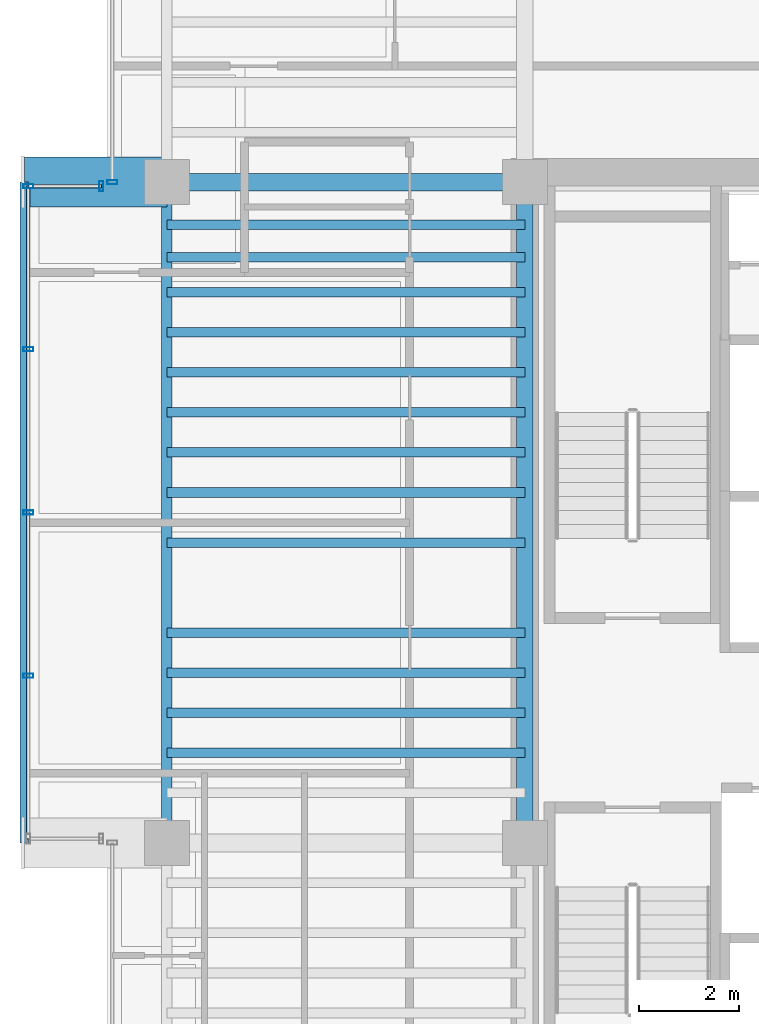
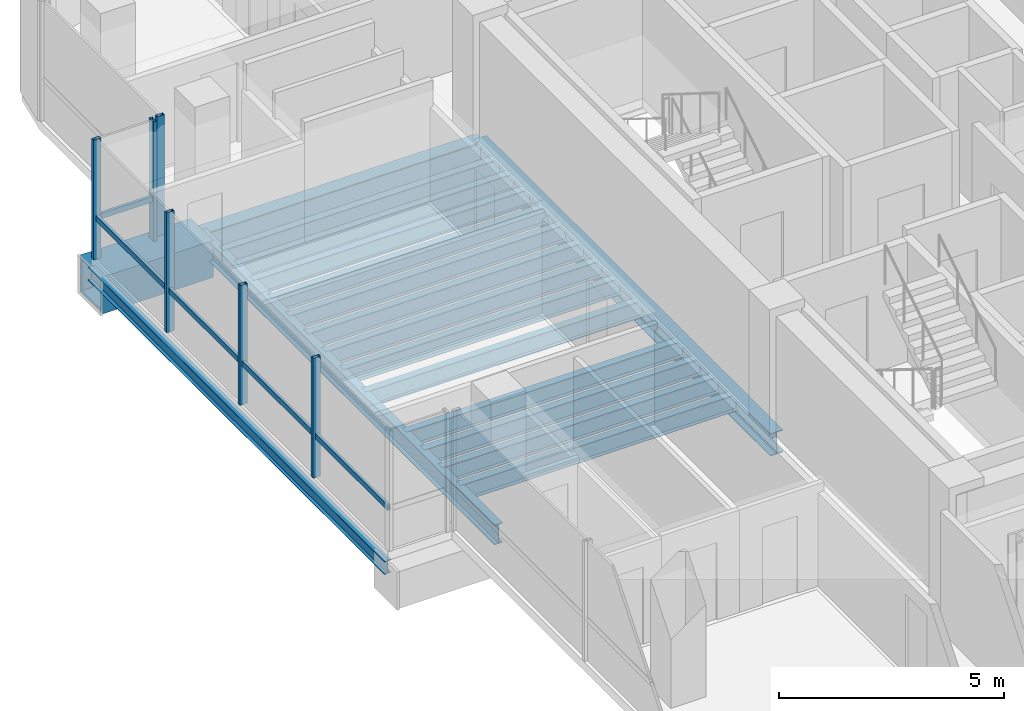
# One storey, part 7 of 22: 18 beams, 8 members, 3 elements without a shape of their own.
"""IFC4 building model written with IfcOpenShell, lengths in metres."""

from ifc_helpers import new_model, si_unit, direction, frame, origin, origin_2d, place, context, subcontext, project, spatial, hollow_rectangle, i_section, extrude, source, transform, mapped, material, material_profile, profile_set, type_object, element, aggregate, save


model = new_model("IFC4")

# Units and contexts
model_context = context("Model", 3, precision=1e-05, world=origin(), true_north=direction((0.0, 1.0)))
body_context = subcontext(model_context, "Body", "Model", "MODEL_VIEW")
ifc_project = project(units=[si_unit("LENGTHUNIT", "METRE"), si_unit("AREAUNIT", "SQUARE_METRE"), si_unit("VOLUMEUNIT", "CUBIC_METRE"), si_unit("PLANEANGLEUNIT", "RADIAN"), si_unit("MASSUNIT", "GRAM", prefix="KILO")], contexts=[model_context])

# Site, building, storey
site_placement = place(None, origin())
site = spatial("IfcSite", under=ifc_project, at=site_placement, CompositionType="ELEMENT")
building_placement = place(site_placement, origin())
building = spatial("IfcBuilding", under=site, at=building_placement, Name="Valdorenza Pilgrim Sanctuary Tower", CompositionType="ELEMENT")
storey_placement = place(building_placement, frame((0.0, 0.0, 209.0)))
storey = spatial("IfcBuildingStorey", under=building, at=storey_placement, Name="L53", CompositionType="ELEMENT", Elevation=209.0)

# Beams
ifc_material_1 = material(Name="Steel ASTM A992 Grade 50", Category="steel")
ifc_material_profile_1 = material_profile(ifc_material_1, i_section(OverallWidth=0.323974609375, OverallDepth=0.611083984375, WebThickness=0.0126953125, FlangeThickness=0.01904296875, at=origin_2d()), Name="W24X104")
ifc_profile_set_1 = profile_set([ifc_material_profile_1], Name="Steel ASTM A992 Grade 50")
beam_type_1 = type_object("IfcBeamType", Name="STR-BM-GRD-W24B", PredefinedType="BEAM", material=ifc_profile_set_1)
shared_shape_1 = source(origin(), body_context, "Body", "SweptSolid", [
    extrude(i_section(OverallWidth=0.323974609375, OverallDepth=0.611083984375, WebThickness=0.0126953125, FlangeThickness=0.01904296875, at=origin_2d()), origin(), (0.0, 0.0, 1.0), 13.2001953125),
])
beam_1_placement = place(storey_placement, frame((-22.64990234375, -2.60009765625, -0.54541015625), z_axis=(0.0, 1.0, 0.0), x_axis=(-1.0, 0.0, 0.0)))
element("IfcBeam", 1, at=beam_1_placement, inside=storey, type_object=beam_type_1, Name="L53 Core Tie Girder CA-W-M0N1", PredefinedType="BEAM", context=body_context, shape_type="MappedRepresentation", body=[
    mapped(shared_shape_1, transform((0.0, 0.0, 0.0), x_axis=(1.0, 0.0, 0.0), y_axis=(0.0, 1.0, 0.0), z_axis=(0.0, 0.0, 1.0), scale=1.0)),
])
ifc_material_profile_2 = material_profile(ifc_material_1, i_section(OverallWidth=0.1708984375, OverallDepth=0.35107421875, WebThickness=0.0068359375, FlangeThickness=0.009765625, at=origin_2d()), Name="W14X30")
ifc_profile_set_2 = profile_set([ifc_material_profile_2], Name="Steel ASTM A992 Grade 50")
beam_type_2 = type_object("IfcBeamType", Name="STR-BM-BOX-W14", PredefinedType="BEAM", material=ifc_profile_set_2)
shared_shape_2 = source(origin(), body_context, "Body", "SweptSolid", [
    extrude(i_section(OverallWidth=0.1708984375, OverallDepth=0.35107421875, WebThickness=0.0068359375, FlangeThickness=0.009765625, at=origin_2d()), origin(), (0.0, 0.0, 1.0), 13.2001953125),
])
beam_2_placement = place(storey_placement, frame((-32.64990234375, -2.60009765625, -0.41552734375), z_axis=(0.0, 1.0, 0.0), x_axis=(-1.0, 0.0, 0.0)))
element("IfcBeam", 2, at=beam_2_placement, inside=storey, type_object=beam_type_2, Name="L53 Glass Box Edge Beam BOX-WA-L53-F", PredefinedType="BEAM", context=body_context, shape_type="MappedRepresentation", body=[
    mapped(shared_shape_2, transform((0.0, 0.0, 0.0), x_axis=(1.0, 0.0, 0.0), y_axis=(0.0, 1.0, 0.0), z_axis=(0.0, 0.0, 1.0), scale=1.0)),
])
ifc_material_profile_3 = material_profile(ifc_material_1, i_section(OverallWidth=0.19091796875, OverallDepth=0.45703125, WebThickness=0.009033203125, FlangeThickness=0.014404296875, at=origin_2d()), Name="W18X50")
ifc_profile_set_3 = profile_set([ifc_material_profile_3], Name="Steel ASTM A992 Grade 50")
beam_type_3 = type_object("IfcBeamType", Name="STR-BM-JST-W18B", PredefinedType="JOIST", material=ifc_profile_set_3)
shared_shape_3 = source(origin(), body_context, "Body", "SweptSolid", [
    extrude(i_section(OverallWidth=0.19091796875, OverallDepth=0.45703125, WebThickness=0.009033203125, FlangeThickness=0.014404296875, at=origin_2d()), origin(), (0.0, 0.0, 1.0), 7.150146484375),
])
for number, where, z_axis, x_axis, name in (
    (3, (-29.800048828125, -0.800048828125, -0.468505859375), (1.0, 0.0, 0.0), (0.0, 1.0, 0.0), "L53 Composite Floor Joist JST-WA-11"),
    (4, (-29.800048828125, 0.0, -0.468505859375), (1.0, 0.0, 0.0), (0.0, 1.0, 0.0), "L53 Composite Floor Joist JST-WA-12"),
    (5, (-29.800048828125, 0.800048828125, -0.468505859375), (1.0, 0.0, 0.0), (0.0, 1.0, 0.0), "L53 Composite Floor Joist JST-WA-13"),
    (6, (-29.800048828125, 1.60009765625, -0.468505859375), (1.0, 0.0, 0.0), (0.0, 1.0, 0.0), "L53 Composite Floor Joist JST-WA-14"),
    (7, (-29.800048828125, 3.39990234375, -0.468505859375), (1.0, 0.0, 0.0), (0.0, 1.0, 0.0), "L53 Composite Floor Joist JST-WA-15"),
    (8, (-29.800048828125, 4.39990234375, -0.468505859375), (1.0, 0.0, 0.0), (0.0, 1.0, 0.0), "L53 Composite Floor Joist JST-WA-16"),
    (9, (-29.800048828125, 5.199951171875, -0.468505859375), (1.0, 0.0, 0.0), (0.0, 1.0, 0.0), "L53 Composite Floor Joist JST-WA-17"),
    (10, (-29.800048828125, 6.0, -0.468505859375), (1.0, 0.0, 0.0), (0.0, 1.0, 0.0), "L53 Composite Floor Joist JST-WA-18"),
    (11, (-29.800048828125, 6.800048828125, -0.468505859375), (1.0, 0.0, 0.0), (0.0, 1.0, 0.0), "L53 Composite Floor Joist JST-WA-19"),
    (12, (-29.800048828125, 7.60009765625, -0.468505859375), (1.0, 0.0, 0.0), (0.0, 1.0, 0.0), "L53 Composite Floor Joist JST-WA-20"),
    (13, (-29.800048828125, 8.39990234375, -0.468505859375), (1.0, 0.0, 0.0), (0.0, 1.0, 0.0), "L53 Composite Floor Joist JST-WA-21"),
    (14, (-29.800048828125, 9.10009765625, -0.468505859375), (1.0, 0.0, 0.0), (0.0, 1.0, 0.0), "L53 Composite Floor Joist JST-WA-22"),
    (15, (-29.800048828125, 9.75, -0.468505859375), (1.0, 0.0, 0.0), (0.0, 1.0, 0.0), "L53 Composite Floor Joist JST-WA-23"),
):
    element("IfcBeam", number, at=place(storey_placement, frame(where, z_axis=z_axis, x_axis=x_axis)), inside=storey, type_object=beam_type_3, Name=name, PredefinedType="JOIST", context=body_context, shape_type="MappedRepresentation", body=[
        mapped(shared_shape_3, transform((0.0, 0.0, 0.0), x_axis=(1.0, 0.0, 0.0), y_axis=(0.0, 1.0, 0.0), z_axis=(0.0, 0.0, 1.0), scale=1.0)),
    ])
ifc_material_2 = material(Name="Steel ASTM A572 Grade 42", Category="steel")
ifc_material_profile_4 = material_profile(ifc_material_2, hollow_rectangle(XDim=1.0, YDim=1.0, WallThickness=0.080078125, at=origin_2d()), Name="BOX 1000x1000x80")
ifc_profile_set_4 = profile_set([ifc_material_profile_4], Name="Steel ASTM A572 Grade 42")
beam_type_4 = type_object("IfcBeamType", Name="STR-BM-PROW-CANT", PredefinedType="BEAM", material=ifc_profile_set_4)
shared_shape_4 = source(origin(), body_context, "Body", "SweptSolid", [
    extrude(hollow_rectangle(XDim=1.0, YDim=1.0, WallThickness=0.080078125, at=origin_2d()), origin(), (0.0, 0.0, 1.0), 2.849853515625),
])
beam_3_placement = place(storey_placement, frame((-29.800048828125, 10.60009765625, -0.739990234375), z_axis=(-1.0, 0.0, 0.0), x_axis=(0.0, -1.0, 0.0)))
element("IfcBeam", 16, at=beam_3_placement, inside=storey, type_object=beam_type_4, Name="L53 Glass Box Cantilever Beam BOX-WA-L53-CT-N", PredefinedType="BEAM", context=body_context, shape_type="MappedRepresentation", body=[
    mapped(shared_shape_4, transform((0.0, 0.0, 0.0), x_axis=(1.0, 0.0, 0.0), y_axis=(0.0, 1.0, 0.0), z_axis=(0.0, 0.0, 1.0), scale=1.0)),
])
ifc_material_profile_5 = material_profile(ifc_material_1, i_section(OverallWidth=0.2109375, OverallDepth=0.5390625, WebThickness=0.01171875, FlangeThickness=0.018798828125, at=origin_2d()), Name="W21X73")
ifc_profile_set_5 = profile_set([ifc_material_profile_5], Name="Steel ASTM A992 Grade 50")
beam_type_5 = type_object("IfcBeamType", Name="STR-BM-SPN-W21B", PredefinedType="SPANDREL", material=ifc_profile_set_5)
shared_shape_5 = source(origin(), body_context, "Body", "SweptSolid", [
    extrude(i_section(OverallWidth=0.2109375, OverallDepth=0.5390625, WebThickness=0.01171875, FlangeThickness=0.018798828125, at=origin_2d()), origin(), (0.0, 0.0, 1.0), 13.2001953125),
])
beam_4_placement = place(storey_placement, frame((-29.800048828125, -2.60009765625, -0.509521484375), z_axis=(0.0, 1.0, 0.0), x_axis=(-1.0, 0.0, 0.0)))
element("IfcBeam", 17, at=beam_4_placement, inside=storey, type_object=beam_type_5, Name="L53 Spandrel Beam WA-W-M0N1", PredefinedType="SPANDREL", context=body_context, shape_type="MappedRepresentation", body=[
    mapped(shared_shape_5, transform((0.0, 0.0, 0.0), x_axis=(1.0, 0.0, 0.0), y_axis=(0.0, 1.0, 0.0), z_axis=(0.0, 0.0, 1.0), scale=1.0)),
])
ifc_material_profile_6 = material_profile(ifc_material_1, i_section(OverallWidth=0.35595703125, OverallDepth=0.700927734375, WebThickness=0.016845703125, FlangeThickness=0.02734375, at=origin_2d()), Name="W27X161")
ifc_profile_set_6 = profile_set([ifc_material_profile_6], Name="Steel ASTM A992 Grade 50")
beam_type_6 = type_object("IfcBeamType", Name="STR-BM-GRD-W27", PredefinedType="BEAM", material=ifc_profile_set_6)
shared_shape_6 = source(origin(), body_context, "Body", "SweptSolid", [
    extrude(i_section(OverallWidth=0.35595703125, OverallDepth=0.700927734375, WebThickness=0.016845703125, FlangeThickness=0.02734375, at=origin_2d()), origin(), (0.0, 0.0, 1.0), 7.150146484375),
])
beam_5_placement = place(storey_placement, frame((-29.800048828125, 10.60009765625, -0.590576171875), z_axis=(1.0, 0.0, 0.0), x_axis=(0.0, 1.0, 0.0)))
element("IfcBeam", 18, at=beam_5_placement, inside=storey, type_object=beam_type_6, Name="L53 Floor Girder WA-XW-N1", PredefinedType="BEAM", context=body_context, shape_type="MappedRepresentation", body=[
    mapped(shared_shape_6, transform((0.0, 0.0, 0.0), x_axis=(1.0, 0.0, 0.0), y_axis=(0.0, 1.0, 0.0), z_axis=(0.0, 0.0, 1.0), scale=1.0)),
])

# Curtain wall, member
ifc_material_3 = material(Name="Curtain-wall IGU glazing", Category="glass")
curtain_wall_type = type_object("IfcCurtainWallType", Name="CW-SYS-02", PredefinedType="NOTDEFINED", material=ifc_material_3)
curtain_wall_1_placement = place(storey_placement, origin())
curtain_wall_1 = element("IfcCurtainWall", 19, at=curtain_wall_1_placement, inside=storey, type_object=curtain_wall_type, Name="L53 Curtain Wall CW-L53-BOX-WA-L53-N", PredefinedType="NOTDEFINED")
ifc_material_4 = material(Name="Anodised aluminium AW-6060", Category="aluminium")
ifc_material_profile_7 = material_profile(ifc_material_4, hollow_rectangle(XDim=0.074951171875, YDim=0.14990234375, WallThickness=0.00390625, at=origin_2d()), Name="ALU-T 150x75x4")
ifc_profile_set_7 = profile_set([ifc_material_profile_7], Name="Anodised aluminium AW-6060")
member_type_1 = type_object("IfcMemberType", Name="CW-TRN-02", PredefinedType="USERDEFINED", material=ifc_profile_set_7)
shared_shape_7 = source(origin(), body_context, "Body", "SweptSolid", [
    extrude(hollow_rectangle(XDim=0.074951171875, YDim=0.14990234375, WallThickness=0.00390625, at=origin_2d()), origin(), (0.0, 0.0, 1.0), 1.4599609375),
])
member_1_placement = place(storey_placement, frame((-32.570068359375, 10.52001953125, 1.1201171875), z_axis=(1.0, 0.0, 0.0), x_axis=(0.0, 1.0, 0.0)))
member_1 = element("IfcMember", 20, at=member_1_placement, type_object=member_type_1, Name="CW-L53-BOX-WA-L53-N Transom 1", ObjectType="TRANSOM", PredefinedType="USERDEFINED", context=body_context, shape_type="MappedRepresentation", body=[
    mapped(shared_shape_7, transform((0.0, 0.0, 0.0), x_axis=(1.0, 0.0, 0.0), y_axis=(0.0, 1.0, 0.0), z_axis=(0.0, 0.0, 1.0), scale=1.0)),
])

curtain_wall_2_placement = place(storey_placement, origin())
curtain_wall_2 = element("IfcCurtainWall", 21, at=curtain_wall_2_placement, inside=storey, type_object=curtain_wall_type, Name="L53 Curtain Wall CW-L53-BOX-WA-L53-F", PredefinedType="NOTDEFINED")
shared_shape_8 = source(origin(), body_context, "Body", "SweptSolid", [
    extrude(hollow_rectangle(XDim=0.074951171875, YDim=0.14990234375, WallThickness=0.00390625, at=origin_2d()), origin(), (0.0, 0.0, 1.0), 13.0400390625),
])
member_2_placement = place(storey_placement, frame((-32.570068359375, -2.52001953125, 1.1201171875), z_axis=(0.0, 1.0, 0.0), x_axis=(-1.0, 0.0, 0.0)))
member_2 = element("IfcMember", 22, at=member_2_placement, type_object=member_type_1, Name="CW-L53-BOX-WA-L53-F Transom 1", ObjectType="TRANSOM", PredefinedType="USERDEFINED", context=body_context, shape_type="MappedRepresentation", body=[
    mapped(shared_shape_8, transform((0.0, 0.0, 0.0), x_axis=(1.0, 0.0, 0.0), y_axis=(0.0, 1.0, 0.0), z_axis=(0.0, 0.0, 1.0), scale=1.0)),
])

curtain_wall_3_placement = place(storey_placement, origin())
curtain_wall_3 = element("IfcCurtainWall", 23, at=curtain_wall_3_placement, inside=storey, type_object=curtain_wall_type, Name="L53 Curtain Wall CW-L53-1-1S2", PredefinedType="NOTDEFINED")
ifc_material_profile_8 = material_profile(ifc_material_4, hollow_rectangle(XDim=0.0849609375, YDim=0.199951171875, WallThickness=0.0048828125, at=origin_2d()), Name="ALU-M 200x85x5")
ifc_profile_set_8 = profile_set([ifc_material_profile_8], Name="Anodised aluminium AW-6060")
member_type_2 = type_object("IfcMemberType", Name="CW-MUL-02", PredefinedType="MULLION", material=ifc_profile_set_8)
shared_shape_9 = source(origin(), body_context, "Body", "SweptSolid", [
    extrude(hollow_rectangle(XDim=0.0849609375, YDim=0.199951171875, WallThickness=0.0048828125, at=origin_2d()), origin(), (0.0, 0.0, 1.0), 3.260009765625),
])
member_3_placement = place(storey_placement, frame((-30.889892578125, 10.60009765625, 0.0), z_axis=(0.0, 0.0, 1.0), x_axis=(0.0, 1.0, 0.0)))
member_3 = element("IfcMember", 24, at=member_3_placement, type_object=member_type_2, Name="CW-L53-1-1S2 Mullion 1", PredefinedType="MULLION", context=body_context, shape_type="MappedRepresentation", body=[
    mapped(shared_shape_9, transform((0.0, 0.0, 0.0), x_axis=(1.0, 0.0, 0.0), y_axis=(0.0, 1.0, 0.0), z_axis=(0.0, 0.0, 1.0), scale=1.0)),
])
aggregate(curtain_wall_3, [member_3])

# Member
member_4_placement = place(storey_placement, frame((-32.570068359375, 0.739990234375, 0.0), z_axis=(0.0, 0.0, 1.0), x_axis=(0.0, 1.0, 0.0)))
member_4 = element("IfcMember", 25, at=member_4_placement, type_object=member_type_2, Name="CW-L53-BOX-WA-L53-F Mullion 2", PredefinedType="MULLION", context=body_context, shape_type="MappedRepresentation", body=[
    mapped(shared_shape_9, transform((0.0, 0.0, 0.0), x_axis=(1.0, 0.0, 0.0), y_axis=(0.0, 1.0, 0.0), z_axis=(0.0, 0.0, 1.0), scale=1.0)),
])

member_5_placement = place(storey_placement, frame((-32.570068359375, 4.0, 0.0), z_axis=(0.0, 0.0, 1.0), x_axis=(0.0, 1.0, 0.0)))
member_5 = element("IfcMember", 26, at=member_5_placement, type_object=member_type_2, Name="CW-L53-BOX-WA-L53-F Mullion 3", PredefinedType="MULLION", context=body_context, shape_type="MappedRepresentation", body=[
    mapped(shared_shape_9, transform((0.0, 0.0, 0.0), x_axis=(1.0, 0.0, 0.0), y_axis=(0.0, 1.0, 0.0), z_axis=(0.0, 0.0, 1.0), scale=1.0)),
])

member_6_placement = place(storey_placement, frame((-32.570068359375, 7.260009765625, 0.0), z_axis=(0.0, 0.0, 1.0), x_axis=(0.0, 1.0, 0.0)))
member_6 = element("IfcMember", 27, at=member_6_placement, type_object=member_type_2, Name="CW-L53-BOX-WA-L53-F Mullion 4", PredefinedType="MULLION", context=body_context, shape_type="MappedRepresentation", body=[
    mapped(shared_shape_9, transform((0.0, 0.0, 0.0), x_axis=(1.0, 0.0, 0.0), y_axis=(0.0, 1.0, 0.0), z_axis=(0.0, 0.0, 1.0), scale=1.0)),
])

member_7_placement = place(storey_placement, frame((-32.570068359375, 10.52001953125, 0.0), z_axis=(0.0, 0.0, 1.0), x_axis=(0.0, 1.0, 0.0)))
member_7 = element("IfcMember", 28, at=member_7_placement, type_object=member_type_2, Name="CW-L53-BOX-WA-L53-F Mullion 5", PredefinedType="MULLION", context=body_context, shape_type="MappedRepresentation", body=[
    mapped(shared_shape_9, transform((0.0, 0.0, 0.0), x_axis=(1.0, 0.0, 0.0), y_axis=(0.0, 1.0, 0.0), z_axis=(0.0, 0.0, 1.0), scale=1.0)),
])

aggregate(curtain_wall_2, [member_4, member_5, member_6, member_7, member_2])

member_8_placement = place(storey_placement, frame((-31.110107421875, 10.52001953125, 0.0), z_axis=(0.0, 0.0, 1.0), x_axis=(1.0, 0.0, 0.0)))
member_8 = element("IfcMember", 29, at=member_8_placement, type_object=member_type_2, Name="CW-L53-BOX-WA-L53-N Mullion 2", PredefinedType="MULLION", context=body_context, shape_type="MappedRepresentation", body=[
    mapped(shared_shape_9, transform((0.0, 0.0, 0.0), x_axis=(1.0, 0.0, 0.0), y_axis=(0.0, 1.0, 0.0), z_axis=(0.0, 0.0, 1.0), scale=1.0)),
])

aggregate(curtain_wall_1, [member_8, member_1])

save(model, "model.ifc")
